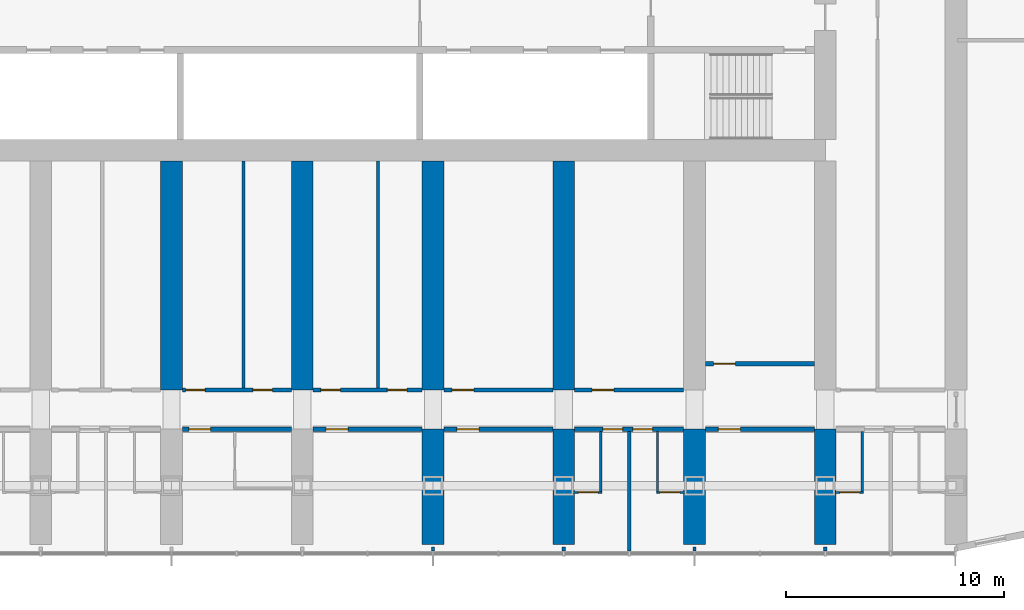
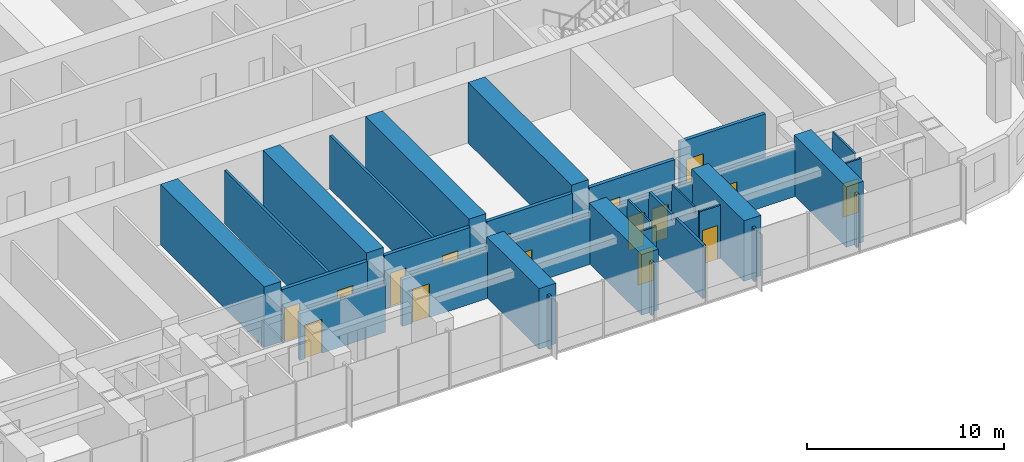
# One storey, part 12 of 23: 31 walls, 16 doors, 16 openings.
"""IFC4 building model written with IfcOpenShell, lengths in metres."""

from ifc_helpers import new_model, si_unit, direction, frame, frame_2d, origin, place, context, subcontext, project, spatial, polyline, rectangle, outline, extrude, material, layer, layer_set, type_object, element, fill, save


model = new_model("IFC4")

# Units and contexts
model_context = context("Model", 3, precision=1e-05, world=origin(), true_north=direction((0.0, 1.0)))
body_context = subcontext(model_context, "Body", "Model", "MODEL_VIEW")
ifc_project = project(units=[si_unit("LENGTHUNIT", "METRE"), si_unit("AREAUNIT", "SQUARE_METRE"), si_unit("VOLUMEUNIT", "CUBIC_METRE"), si_unit("PLANEANGLEUNIT", "RADIAN"), si_unit("MASSUNIT", "GRAM", prefix="KILO")], contexts=[model_context])

# Site, building, storey
site_placement = place(None, origin())
site = spatial("IfcSite", under=ifc_project, at=site_placement, CompositionType="ELEMENT")
building_placement = place(site_placement, origin())
building = spatial("IfcBuilding", under=site, at=building_placement, Name="Orbita Commons", CompositionType="ELEMENT")
storey_placement = place(building_placement, frame((0.0, 0.0, 50.199951171875)))
storey = spatial("IfcBuildingStorey", under=building, at=storey_placement, Name="L12", CompositionType="ELEMENT", Elevation=50.199951171875)

# Wall, opening, door
ifc_material_1 = material(Name="Concrete blockwork", Category="masonry")
ifc_layer_1 = layer(ifc_material_1, 0.199951171875)
ifc_layer_set_1 = layer_set([ifc_layer_1], Name="Concrete blockwork")
wall_type_1 = type_object("IfcWallType", Name="Corridor wall 200 blockwork", PredefinedType="SOLIDWALL", material=ifc_layer_set_1)
wall_1_placement = place(storey_placement, frame((36.5, 13.0, 0.0), z_axis=(0.0, 0.0, 1.0), x_axis=(1.0, 0.0, 0.0)))
wall_1 = element("IfcWall", 1, at=wall_1_placement, inside=storey, type_object=wall_type_1, Name="Corridor wall 200 blockwork L12", PredefinedType="SOLIDWALL", context=body_context, shape_type="SweptSolid", body=[
    extrude(outline(polyline([(0.0, 0.0), (5.0, 0.0), (5.0, 2.900146484375), (0.0, 2.900146484375), (0.0, 0.0)])), frame((0.0, 0.10009765625, 0.0), z_axis=(0.0, -1.0, 0.0), x_axis=(1.0, 0.0, 0.0)), (0.0, 0.0, 1.0), 0.199951171875),
])
opening_1_placement = place(wall_1_placement, frame((0.300048828125, 0.0, 0.0)))
opening_1 = element("IfcOpeningElement", 2, at=opening_1_placement, cuts=wall_1, Name="Opening D06", PredefinedType="OPENING", context=body_context, shape_type="SweptSolid", body=[
    extrude(rectangle(XDim=1.0, YDim=2.10009765625, at=frame_2d((0.5, 1.050048828125))), frame((0.0, 0.10986328125, 0.0), z_axis=(0.0, -1.0, 0.0), x_axis=(1.0, 0.0, 0.0)), (0.0, 0.0, 1.0), 0.219970703125),
])
ifc_material_2 = material(Name="Steel-faced fire door leaf", Category="steel")
door_type_1 = type_object("IfcDoorType", Name="Corridor door 20 min 1000x2100", OperationType="SINGLE_SWING_LEFT", PredefinedType="DOOR", material=ifc_material_2)
door_1_placement = place(opening_1_placement, origin())
door_1 = element("IfcDoor", 3, at=door_1_placement, inside=storey, type_object=door_type_1, Name="Accessible bedroom L12-S08 door", OperationType="SINGLE_SWING_LEFT", OverallHeight=2.10009765625, OverallWidth=1.0, PredefinedType="DOOR", context=body_context, shape_type="SweptSolid", body=[
    extrude(rectangle(XDim=1.0, YDim=2.10009765625, at=frame_2d((0.5, 1.050048828125))), frame((0.0, 0.02490234375, 0.0), z_axis=(0.0, -1.0, 0.0), x_axis=(1.0, 0.0, 0.0)), (0.0, 0.0, 1.0), 0.050048828125),
])
fill(opening_1, door_1)

wall_2_placement = place(storey_placement, frame((42.5, 13.0, 0.0), z_axis=(0.0, 0.0, 1.0), x_axis=(1.0, 0.0, 0.0)))
wall_2 = element("IfcWall", 4, at=wall_2_placement, inside=storey, type_object=wall_type_1, Name="Corridor wall 200 blockwork L12", PredefinedType="SOLIDWALL", context=body_context, shape_type="SweptSolid", body=[
    extrude(outline(polyline([(0.0, 0.0), (5.0, 0.0), (5.0, 2.900146484375), (0.0, 2.900146484375), (0.0, 0.0)])), frame((0.0, 0.10009765625, 0.0), z_axis=(0.0, -1.0, 0.0), x_axis=(1.0, 0.0, 0.0)), (0.0, 0.0, 1.0), 0.199951171875),
])
opening_2_placement = place(wall_2_placement, frame((0.60009765625, 0.0, 0.0)))
opening_2 = element("IfcOpeningElement", 5, at=opening_2_placement, cuts=wall_2, Name="Opening D06", PredefinedType="OPENING", context=body_context, shape_type="SweptSolid", body=[
    extrude(rectangle(XDim=1.0, YDim=2.10009765625, at=frame_2d((0.5, 1.050048828125))), frame((0.0, 0.10986328125, 0.0), z_axis=(0.0, -1.0, 0.0), x_axis=(1.0, 0.0, 0.0)), (0.0, 0.0, 1.0), 0.219970703125),
])
door_2_placement = place(opening_2_placement, origin())
door_2 = element("IfcDoor", 6, at=door_2_placement, inside=storey, type_object=door_type_1, Name="House study room L12-S10 door", OperationType="SINGLE_SWING_LEFT", OverallHeight=2.10009765625, OverallWidth=1.0, PredefinedType="DOOR", context=body_context, shape_type="SweptSolid", body=[
    extrude(rectangle(XDim=1.0, YDim=2.10009765625, at=frame_2d((0.5, 1.050048828125))), frame((0.0, 0.02490234375, 0.0), z_axis=(0.0, -1.0, 0.0), x_axis=(1.0, 0.0, 0.0)), (0.0, 0.0, 1.0), 0.050048828125),
])
fill(opening_2, door_2)

wall_3_placement = place(storey_placement, frame((48.5, 13.0, 0.0), z_axis=(0.0, 0.0, 1.0), x_axis=(1.0, 0.0, 0.0)))
wall_3 = element("IfcWall", 7, at=wall_3_placement, inside=storey, type_object=wall_type_1, Name="Corridor wall 200 blockwork L12", PredefinedType="SOLIDWALL", context=body_context, shape_type="SweptSolid", body=[
    extrude(outline(polyline([(0.0, 0.0), (5.0, 0.0), (5.0, 2.900146484375), (0.0, 2.900146484375), (0.0, 0.0)])), frame((0.0, 0.10009765625, 0.0), z_axis=(0.0, -1.0, 0.0), x_axis=(1.0, 0.0, 0.0)), (0.0, 0.0, 1.0), 0.199951171875),
])
opening_3_placement = place(wall_3_placement, frame((0.60009765625, 0.0, 0.0)))
opening_3 = element("IfcOpeningElement", 8, at=opening_3_placement, cuts=wall_3, Name="Opening D06", PredefinedType="OPENING", context=body_context, shape_type="SweptSolid", body=[
    extrude(rectangle(XDim=1.0, YDim=2.10009765625, at=frame_2d((0.5, 1.050048828125))), frame((0.0, 0.10986328125, 0.0), z_axis=(0.0, -1.0, 0.0), x_axis=(1.0, 0.0, 0.0)), (0.0, 0.0, 1.0), 0.219970703125),
])
door_3_placement = place(opening_3_placement, origin())
door_3 = element("IfcDoor", 9, at=door_3_placement, inside=storey, type_object=door_type_1, Name="House kitchen-diner L12-S12 door", OperationType="SINGLE_SWING_LEFT", OverallHeight=2.10009765625, OverallWidth=1.0, PredefinedType="DOOR", context=body_context, shape_type="SweptSolid", body=[
    extrude(rectangle(XDim=1.0, YDim=2.10009765625, at=frame_2d((0.5, 1.050048828125))), frame((0.0, 0.02490234375, 0.0), z_axis=(0.0, -1.0, 0.0), x_axis=(1.0, 0.0, 0.0)), (0.0, 0.0, 1.0), 0.050048828125),
])
fill(opening_3, door_3)

# Wall, openings, doors
wall_4_placement = place(storey_placement, frame((54.5, 13.0, 0.0), z_axis=(0.0, 0.0, 1.0), x_axis=(1.0, 0.0, 0.0)))
wall_4 = element("IfcWall", 10, at=wall_4_placement, inside=storey, type_object=wall_type_1, Name="Corridor wall 200 blockwork L12", PredefinedType="SOLIDWALL", context=body_context, shape_type="SweptSolid", body=[
    extrude(outline(polyline([(0.0, 0.0), (5.0, 0.0), (5.0, 2.900146484375), (0.0, 2.900146484375), (0.0, 0.0)])), frame((0.0, 0.10009765625, 0.0), z_axis=(0.0, -1.0, 0.0), x_axis=(1.0, 0.0, 0.0)), (0.0, 0.0, 1.0), 0.199951171875),
])
opening_4_placement = place(wall_4_placement, frame((1.300048828125, 0.0, 0.0)))
opening_4 = element("IfcOpeningElement", 11, at=opening_4_placement, cuts=wall_4, Name="Opening D11", PredefinedType="OPENING", context=body_context, shape_type="SweptSolid", body=[
    extrude(rectangle(XDim=0.89990234375, YDim=2.10009765625, at=frame_2d((0.449951171875, 1.050048828125))), frame((0.0, 0.10986328125, 0.0), z_axis=(0.0, -1.0, 0.0), x_axis=(1.0, 0.0, 0.0)), (0.0, 0.0, 1.0), 0.219970703125),
])
opening_5_placement = place(wall_4_placement, frame((2.675048828125, 0.0, 0.0)))
opening_5 = element("IfcOpeningElement", 12, at=opening_5_placement, cuts=wall_4, Name="Opening D11", PredefinedType="OPENING", context=body_context, shape_type="SweptSolid", body=[
    extrude(rectangle(XDim=0.89990234375, YDim=2.10009765625, at=frame_2d((0.449951171875, 1.050048828125))), frame((0.0, 0.10986328125, 0.0), z_axis=(0.0, -1.0, 0.0), x_axis=(1.0, 0.0, 0.0)), (0.0, 0.0, 1.0), 0.219970703125),
])
ifc_material_3 = material(Name="Steel-faced fire door leaf", Category="steel")
door_type_2 = type_object("IfcDoorType", Name="Corridor door 20 min 900x2100", OperationType="SINGLE_SWING_LEFT", PredefinedType="DOOR", material=ifc_material_3)
door_4_placement = place(opening_4_placement, origin())
door_4 = element("IfcDoor", 13, at=door_4_placement, inside=storey, type_object=door_type_2, Name="House bedroom L12-S14 door", OperationType="SINGLE_SWING_LEFT", OverallHeight=2.10009765625, OverallWidth=0.89990234375, PredefinedType="DOOR", context=body_context, shape_type="SweptSolid", body=[
    extrude(rectangle(XDim=0.89990234375, YDim=2.10009765625, at=frame_2d((0.449951171875, 1.050048828125))), frame((0.0, 0.02490234375, 0.0), z_axis=(0.0, -1.0, 0.0), x_axis=(1.0, 0.0, 0.0)), (0.0, 0.0, 1.0), 0.050048828125),
])
fill(opening_4, door_4)
door_5_placement = place(opening_5_placement, origin())
door_5 = element("IfcDoor", 14, at=door_5_placement, inside=storey, type_object=door_type_2, Name="House bedroom L12-S15 door", OperationType="SINGLE_SWING_LEFT", OverallHeight=2.10009765625, OverallWidth=0.89990234375, PredefinedType="DOOR", context=body_context, shape_type="SweptSolid", body=[
    extrude(rectangle(XDim=0.89990234375, YDim=2.10009765625, at=frame_2d((0.449951171875, 1.050048828125))), frame((0.0, 0.02490234375, 0.0), z_axis=(0.0, -1.0, 0.0), x_axis=(1.0, 0.0, 0.0)), (0.0, 0.0, 1.0), 0.050048828125),
])
fill(opening_5, door_5)

# Wall, opening, door
wall_5_placement = place(storey_placement, frame((60.5, 13.0, 0.0), z_axis=(0.0, 0.0, 1.0), x_axis=(1.0, 0.0, 0.0)))
wall_5 = element("IfcWall", 15, at=wall_5_placement, inside=storey, type_object=wall_type_1, Name="Corridor wall 200 blockwork L12", PredefinedType="SOLIDWALL", context=body_context, shape_type="SweptSolid", body=[
    extrude(outline(polyline([(0.0, 0.0), (5.0, 0.0), (5.0, 2.900146484375), (0.0, 2.900146484375), (0.0, 0.0)])), frame((0.0, 0.10009765625, 0.0), z_axis=(0.0, -1.0, 0.0), x_axis=(1.0, 0.0, 0.0)), (0.0, 0.0, 1.0), 0.199951171875),
])
opening_6_placement = place(wall_5_placement, frame((0.60009765625, 0.0, 0.0)))
opening_6 = element("IfcOpeningElement", 16, at=opening_6_placement, cuts=wall_5, Name="Opening D06", PredefinedType="OPENING", context=body_context, shape_type="SweptSolid", body=[
    extrude(rectangle(XDim=1.0, YDim=2.10009765625, at=frame_2d((0.5, 1.050048828125))), frame((0.0, 0.10986328125, 0.0), z_axis=(0.0, -1.0, 0.0), x_axis=(1.0, 0.0, 0.0)), (0.0, 0.0, 1.0), 0.219970703125),
])
door_6_placement = place(opening_6_placement, origin())
door_6 = element("IfcDoor", 17, at=door_6_placement, inside=storey, type_object=door_type_1, Name="House common room L12-S16 door", OperationType="SINGLE_SWING_LEFT", OverallHeight=2.10009765625, OverallWidth=1.0, PredefinedType="DOOR", context=body_context, shape_type="SweptSolid", body=[
    extrude(rectangle(XDim=1.0, YDim=2.10009765625, at=frame_2d((0.5, 1.050048828125))), frame((0.0, 0.02490234375, 0.0), z_axis=(0.0, -1.0, 0.0), x_axis=(1.0, 0.0, 0.0)), (0.0, 0.0, 1.0), 0.050048828125),
])
fill(opening_6, door_6)

# Wall, openings, doors
ifc_material_4 = material(Name="Hollow concrete block 200", Category="concrete")
ifc_layer_2 = layer(ifc_material_4, 0.199951171875)
ifc_layer_set_2 = layer_set([ifc_layer_2], Name="Hollow concrete block 200")
wall_type_2 = type_object("IfcWallType", Name="Corridor wall 200 hollow concrete block", PredefinedType="SOLIDWALL", material=ifc_layer_set_2)
wall_6_placement = place(storey_placement, frame((36.5, 14.800048828125, 0.0), z_axis=(0.0, 0.0, 1.0), x_axis=(1.0, 0.0, 0.0)))
wall_6 = element("IfcWall", 18, at=wall_6_placement, inside=storey, type_object=wall_type_2, Name="Corridor wall 200 hollow concrete block L12", PredefinedType="SOLIDWALL", context=body_context, shape_type="SweptSolid", body=[
    extrude(rectangle(XDim=5.0, YDim=0.199951171875, at=frame_2d((2.5, 0.0))), origin(), (0.0, 0.0, 1.0), 3.300048828125),
])
opening_7_placement = place(wall_6_placement, frame((0.14990234375, 0.0, 0.0)))
opening_7 = element("IfcOpeningElement", 19, at=opening_7_placement, cuts=wall_6, Name="Opening D11", PredefinedType="OPENING", context=body_context, shape_type="SweptSolid", body=[
    extrude(rectangle(XDim=0.89990234375, YDim=2.10009765625, at=frame_2d((0.449951171875, 1.050048828125))), frame((0.0, 0.10986328125, 0.0), z_axis=(0.0, -1.0, 0.0), x_axis=(1.0, 0.0, 0.0)), (0.0, 0.0, 1.0), 0.219970703125),
])
opening_8_placement = place(wall_6_placement, frame((3.235107421875, 0.0, 0.0)))
opening_8 = element("IfcOpeningElement", 20, at=opening_8_placement, cuts=wall_6, Name="Opening D11", PredefinedType="OPENING", context=body_context, shape_type="SweptSolid", body=[
    extrude(rectangle(XDim=0.89990234375, YDim=2.10009765625, at=frame_2d((0.449951171875, 1.050048828125))), frame((0.0, 0.10986328125, 0.0), z_axis=(0.0, -1.0, 0.0), x_axis=(1.0, 0.0, 0.0)), (0.0, 0.0, 1.0), 0.219970703125),
])
door_7_placement = place(opening_7_placement, origin())
door_7 = element("IfcDoor", 21, at=door_7_placement, inside=storey, type_object=door_type_2, Name="Group meeting room L12-BDS36 door", OperationType="SINGLE_SWING_LEFT", OverallHeight=2.10009765625, OverallWidth=0.89990234375, PredefinedType="DOOR", context=body_context, shape_type="SweptSolid", body=[
    extrude(rectangle(XDim=0.89990234375, YDim=2.10009765625, at=frame_2d((0.449951171875, 1.050048828125))), frame((0.0, 0.02490234375, 0.0), z_axis=(0.0, -1.0, 0.0), x_axis=(1.0, 0.0, 0.0)), (0.0, 0.0, 1.0), 0.050048828125),
])
fill(opening_7, door_7)
door_8_placement = place(opening_8_placement, origin())
door_8 = element("IfcDoor", 22, at=door_8_placement, inside=storey, type_object=door_type_2, Name="Water heater cupboard L12-BDS36n door", OperationType="SINGLE_SWING_LEFT", OverallHeight=2.10009765625, OverallWidth=0.89990234375, PredefinedType="DOOR", context=body_context, shape_type="SweptSolid", body=[
    extrude(rectangle(XDim=0.89990234375, YDim=2.10009765625, at=frame_2d((0.449951171875, 1.050048828125))), frame((0.0, 0.02490234375, 0.0), z_axis=(0.0, -1.0, 0.0), x_axis=(1.0, 0.0, 0.0)), (0.0, 0.0, 1.0), 0.050048828125),
])
fill(opening_8, door_8)

wall_7_placement = place(storey_placement, frame((42.5, 14.800048828125, 0.0), z_axis=(0.0, 0.0, 1.0), x_axis=(1.0, 0.0, 0.0)))
wall_7 = element("IfcWall", 23, at=wall_7_placement, inside=storey, type_object=wall_type_2, Name="Corridor wall 200 hollow concrete block L12", PredefinedType="SOLIDWALL", context=body_context, shape_type="SweptSolid", body=[
    extrude(rectangle(XDim=5.0, YDim=0.199951171875, at=frame_2d((2.5, 0.0))), origin(), (0.0, 0.0, 1.0), 3.300048828125),
])
opening_9_placement = place(wall_7_placement, frame((0.35009765625, 0.0, 0.0)))
opening_9 = element("IfcOpeningElement", 24, at=opening_9_placement, cuts=wall_7, Name="Opening D11", PredefinedType="OPENING", context=body_context, shape_type="SweptSolid", body=[
    extrude(rectangle(XDim=0.89990234375, YDim=2.10009765625, at=frame_2d((0.449951171875, 1.050048828125))), frame((0.0, 0.10986328125, 0.0), z_axis=(0.0, -1.0, 0.0), x_axis=(1.0, 0.0, 0.0)), (0.0, 0.0, 1.0), 0.219970703125),
])
opening_10_placement = place(wall_7_placement, frame((3.405029296875, 0.0, 0.0)))
opening_10 = element("IfcOpeningElement", 25, at=opening_10_placement, cuts=wall_7, Name="Opening D11", PredefinedType="OPENING", context=body_context, shape_type="SweptSolid", body=[
    extrude(rectangle(XDim=0.89990234375, YDim=2.10009765625, at=frame_2d((0.449951171875, 1.050048828125))), frame((0.0, 0.10986328125, 0.0), z_axis=(0.0, -1.0, 0.0), x_axis=(1.0, 0.0, 0.0)), (0.0, 0.0, 1.0), 0.219970703125),
])
door_9_placement = place(opening_9_placement, origin())
door_9 = element("IfcDoor", 26, at=door_9_placement, inside=storey, type_object=door_type_2, Name="Equipment store L12-BDS42n door", OperationType="SINGLE_SWING_LEFT", OverallHeight=2.10009765625, OverallWidth=0.89990234375, PredefinedType="DOOR", context=body_context, shape_type="SweptSolid", body=[
    extrude(rectangle(XDim=0.89990234375, YDim=2.10009765625, at=frame_2d((0.449951171875, 1.050048828125))), frame((0.0, 0.02490234375, 0.0), z_axis=(0.0, -1.0, 0.0), x_axis=(1.0, 0.0, 0.0)), (0.0, 0.0, 1.0), 0.050048828125),
])
fill(opening_9, door_9)
door_10_placement = place(opening_10_placement, origin())
door_10 = element("IfcDoor", 27, at=door_10_placement, inside=storey, type_object=door_type_2, Name="Linen store L12-BDS42 door", OperationType="SINGLE_SWING_LEFT", OverallHeight=2.10009765625, OverallWidth=0.89990234375, PredefinedType="DOOR", context=body_context, shape_type="SweptSolid", body=[
    extrude(rectangle(XDim=0.89990234375, YDim=2.10009765625, at=frame_2d((0.449951171875, 1.050048828125))), frame((0.0, 0.02490234375, 0.0), z_axis=(0.0, -1.0, 0.0), x_axis=(1.0, 0.0, 0.0)), (0.0, 0.0, 1.0), 0.050048828125),
])
fill(opening_10, door_10)

# Wall, opening, door
wall_8_placement = place(storey_placement, frame((48.5, 14.800048828125, 0.0), z_axis=(0.0, 0.0, 1.0), x_axis=(1.0, 0.0, 0.0)))
wall_8 = element("IfcWall", 28, at=wall_8_placement, inside=storey, type_object=wall_type_2, Name="Corridor wall 200 hollow concrete block L12", PredefinedType="SOLIDWALL", context=body_context, shape_type="SweptSolid", body=[
    extrude(rectangle(XDim=5.0, YDim=0.199951171875, at=frame_2d((2.5, 0.0))), origin(), (0.0, 0.0, 1.0), 3.300048828125),
])
opening_11_placement = place(wall_8_placement, frame((0.375, 0.0, 0.0)))
opening_11 = element("IfcOpeningElement", 29, at=opening_11_placement, cuts=wall_8, Name="Opening D06", PredefinedType="OPENING", context=body_context, shape_type="SweptSolid", body=[
    extrude(rectangle(XDim=1.0, YDim=2.10009765625, at=frame_2d((0.5, 1.050048828125))), frame((0.0, 0.10986328125, 0.0), z_axis=(0.0, -1.0, 0.0), x_axis=(1.0, 0.0, 0.0)), (0.0, 0.0, 1.0), 0.219970703125),
])
door_11_placement = place(opening_11_placement, origin())
door_11 = element("IfcDoor", 30, at=door_11_placement, inside=storey, type_object=door_type_1, Name="Drying room L12-BDS48 door", OperationType="SINGLE_SWING_LEFT", OverallHeight=2.10009765625, OverallWidth=1.0, PredefinedType="DOOR", context=body_context, shape_type="SweptSolid", body=[
    extrude(rectangle(XDim=1.0, YDim=2.10009765625, at=frame_2d((0.5, 1.050048828125))), frame((0.0, 0.02490234375, 0.0), z_axis=(0.0, -1.0, 0.0), x_axis=(1.0, 0.0, 0.0)), (0.0, 0.0, 1.0), 0.050048828125),
])
fill(opening_11, door_11)

wall_9_placement = place(storey_placement, frame((54.5, 14.800048828125, 0.0), z_axis=(0.0, 0.0, 1.0), x_axis=(1.0, 0.0, 0.0)))
wall_9 = element("IfcWall", 31, at=wall_9_placement, inside=storey, type_object=wall_type_2, Name="Corridor wall 200 hollow concrete block L12", PredefinedType="SOLIDWALL", context=body_context, shape_type="SweptSolid", body=[
    extrude(rectangle(XDim=5.0, YDim=0.199951171875, at=frame_2d((2.5, 0.0))), origin(), (0.0, 0.0, 1.0), 3.300048828125),
])
opening_12_placement = place(wall_9_placement, frame((0.800048828125, 0.0, 0.0)))
opening_12 = element("IfcOpeningElement", 32, at=opening_12_placement, cuts=wall_9, Name="Opening D06", PredefinedType="OPENING", context=body_context, shape_type="SweptSolid", body=[
    extrude(rectangle(XDim=1.0, YDim=2.10009765625, at=frame_2d((0.5, 1.050048828125))), frame((0.0, 0.10986328125, 0.0), z_axis=(0.0, -1.0, 0.0), x_axis=(1.0, 0.0, 0.0)), (0.0, 0.0, 1.0), 0.219970703125),
])
door_12_placement = place(opening_12_placement, origin())
door_12 = element("IfcDoor", 33, at=door_12_placement, inside=storey, type_object=door_type_1, Name="Ventilation plant room north L12-BDS54 door", OperationType="SINGLE_SWING_LEFT", OverallHeight=2.10009765625, OverallWidth=1.0, PredefinedType="DOOR", context=body_context, shape_type="SweptSolid", body=[
    extrude(rectangle(XDim=1.0, YDim=2.10009765625, at=frame_2d((0.5, 1.050048828125))), frame((0.0, 0.02490234375, 0.0), z_axis=(0.0, -1.0, 0.0), x_axis=(1.0, 0.0, 0.0)), (0.0, 0.0, 1.0), 0.050048828125),
])
fill(opening_12, door_12)

wall_10_placement = place(storey_placement, frame((60.5, 16.0, 0.0), z_axis=(0.0, 0.0, 1.0), x_axis=(1.0, 0.0, 0.0)))
wall_10 = element("IfcWall", 34, at=wall_10_placement, inside=storey, type_object=wall_type_2, Name="Corridor wall 200 hollow concrete block L12", PredefinedType="SOLIDWALL", context=body_context, shape_type="SweptSolid", body=[
    extrude(rectangle(XDim=5.0, YDim=0.199951171875, at=frame_2d((2.5, 0.0))), origin(), (0.0, 0.0, 1.0), 3.300048828125),
])
opening_13_placement = place(wall_10_placement, frame((0.375, 0.0, 0.0)))
opening_13 = element("IfcOpeningElement", 35, at=opening_13_placement, cuts=wall_10, Name="Opening D06", PredefinedType="OPENING", context=body_context, shape_type="SweptSolid", body=[
    extrude(rectangle(XDim=1.0, YDim=2.10009765625, at=frame_2d((0.5, 1.050048828125))), frame((0.0, 0.10986328125, 0.0), z_axis=(0.0, -1.0, 0.0), x_axis=(1.0, 0.0, 0.0)), (0.0, 0.0, 1.0), 0.219970703125),
])
door_13_placement = place(opening_13_placement, origin())
door_13 = element("IfcDoor", 36, at=door_13_placement, inside=storey, type_object=door_type_1, Name="Electrical and data room L12-BDS60 door", OperationType="SINGLE_SWING_LEFT", OverallHeight=2.10009765625, OverallWidth=1.0, PredefinedType="DOOR", context=body_context, shape_type="SweptSolid", body=[
    extrude(rectangle(XDim=1.0, YDim=2.10009765625, at=frame_2d((0.5, 1.050048828125))), frame((0.0, 0.02490234375, 0.0), z_axis=(0.0, -1.0, 0.0), x_axis=(1.0, 0.0, 0.0)), (0.0, 0.0, 1.0), 0.050048828125),
])
fill(opening_13, door_13)

# Walls
ifc_material_5 = material(Name="Concrete C50/60", Category="concrete")
ifc_layer_3 = layer(ifc_material_5, 1.0)
ifc_layer_set_3 = layer_set([ifc_layer_3], Name="Concrete C50/60")
wall_type_3 = type_object("IfcWallType", Name="Cross wall 1000 C50/60", PredefinedType="SHEAR", material=ifc_layer_set_3)
for number, where, z_axis, x_axis, name in (
    (37, (36.0, 14.800048828125, 0.0), (0.0, 0.0, 1.0), (0.0, 1.0, 0.0), "Cross wall 7 south inner L12"),
    (38, (42.0, 14.800048828125, 0.0), (0.0, 0.0, 1.0), (0.0, 1.0, 0.0), "Cross wall 8 south inner L12"),
):
    element("IfcWall", number, at=place(storey_placement, frame(where, z_axis=z_axis, x_axis=x_axis)), inside=storey, type_object=wall_type_3, Name=name, PredefinedType="SHEAR", context=body_context, shape_type="SweptSolid", body=[
        extrude(rectangle(XDim=10.5, YDim=1.0, at=frame_2d((5.25, 0.0))), origin(), (0.0, 0.0, 1.0), 3.75),
    ])
wall_11_placement = place(storey_placement, frame((48.0, 7.699951171875, 0.0), z_axis=(0.0, 0.0, 1.0), x_axis=(0.0, 1.0, 0.0)))
element("IfcWall", 39, at=wall_11_placement, inside=storey, type_object=wall_type_3, Name="Cross wall 9 south outer L12", PredefinedType="SHEAR", context=body_context, shape_type="SweptSolid", body=[
    extrude(rectangle(XDim=5.300048828125, YDim=1.0, at=frame_2d((2.64990234375, 0.0))), origin(), (0.0, 0.0, 1.0), 3.75),
])
wall_12_placement = place(storey_placement, frame((48.0, 14.800048828125, 0.0), z_axis=(0.0, 0.0, 1.0), x_axis=(0.0, 1.0, 0.0)))
element("IfcWall", 40, at=wall_12_placement, inside=storey, type_object=wall_type_3, Name="Cross wall 9 south inner L12", PredefinedType="SHEAR", context=body_context, shape_type="SweptSolid", body=[
    extrude(rectangle(XDim=10.5, YDim=1.0, at=frame_2d((5.25, 0.0))), origin(), (0.0, 0.0, 1.0), 3.75),
])
wall_13_placement = place(storey_placement, frame((54.0, 7.699951171875, 0.0), z_axis=(0.0, 0.0, 1.0), x_axis=(0.0, 1.0, 0.0)))
element("IfcWall", 41, at=wall_13_placement, inside=storey, type_object=wall_type_3, Name="Cross wall 10 south outer L12", PredefinedType="SHEAR", context=body_context, shape_type="SweptSolid", body=[
    extrude(rectangle(XDim=5.300048828125, YDim=1.0, at=frame_2d((2.64990234375, 0.0))), origin(), (0.0, 0.0, 1.0), 3.75),
])
wall_14_placement = place(storey_placement, frame((54.0, 14.800048828125, 0.0), z_axis=(0.0, 0.0, 1.0), x_axis=(0.0, 1.0, 0.0)))
element("IfcWall", 42, at=wall_14_placement, inside=storey, type_object=wall_type_3, Name="Cross wall 10 south inner L12", PredefinedType="SHEAR", context=body_context, shape_type="SweptSolid", body=[
    extrude(rectangle(XDim=10.5, YDim=1.0, at=frame_2d((5.25, 0.0))), origin(), (0.0, 0.0, 1.0), 3.75),
])
for number, where, z_axis, x_axis, name in (
    (43, (60.0, 7.699951171875, 0.0), (0.0, 0.0, 1.0), (0.0, 1.0, 0.0), "Cross wall 11 south outer L12"),
    (44, (66.0, 7.699951171875, 0.0), (0.0, 0.0, 1.0), (0.0, 1.0, 0.0), "Cross wall 12 south outer L12"),
):
    element("IfcWall", number, at=place(storey_placement, frame(where, z_axis=z_axis, x_axis=x_axis)), inside=storey, type_object=wall_type_3, Name=name, PredefinedType="SHEAR", context=body_context, shape_type="SweptSolid", body=[
        extrude(rectangle(XDim=5.300048828125, YDim=1.0, at=frame_2d((2.64990234375, 0.0))), origin(), (0.0, 0.0, 1.0), 3.75),
    ])

# Wall, opening, door
ifc_material_6 = material(Name="Moisture-resistant plasterboard on steel studs", Category="steel")
ifc_layer_4 = layer(ifc_material_6, 0.10009765625)
ifc_layer_set_4 = layer_set([ifc_layer_4], Name="Moisture-resistant plasterboard on steel studs")
wall_type_4 = type_object("IfcWallType", Name="En-suite partition 100", PredefinedType="PARTITIONING", material=ifc_layer_set_4)
wall_15_placement = place(storey_placement, frame((55.75, 10.10009765625, 0.0), z_axis=(0.0, 0.0, 1.0), x_axis=(-1.0, 0.0, 0.0)))
wall_15 = element("IfcWall", 45, at=wall_15_placement, inside=storey, type_object=wall_type_4, Name="En-suite partition 100 L12", PredefinedType="PARTITIONING", context=body_context, shape_type="SweptSolid", body=[
    extrude(rectangle(XDim=1.300048828125, YDim=0.10009765625, at=frame_2d((0.64990234375, 0.0))), origin(), (0.0, 0.0, 1.0), 3.300048828125),
])
opening_14_placement = place(wall_15_placement, frame((0.175048828125, 0.0, 0.0)))
opening_14 = element("IfcOpeningElement", 46, at=opening_14_placement, cuts=wall_15, Name="Opening D09", PredefinedType="OPENING", context=body_context, shape_type="SweptSolid", body=[
    extrude(rectangle(XDim=0.89990234375, YDim=2.10009765625, at=frame_2d((0.449951171875, 1.050048828125))), frame((0.0, 0.06005859375, 0.0), z_axis=(0.0, -1.0, 0.0), x_axis=(1.0, 0.0, 0.0)), (0.0, 0.0, 1.0), 0.1201171875),
])
ifc_material_7 = material(Name="Laminated timber door leaf", Category="wood")
door_type_3 = type_object("IfcDoorType", Name="En-suite door 900x2100", OperationType="SINGLE_SWING_RIGHT", PredefinedType="DOOR", material=ifc_material_7)
door_14_placement = place(opening_14_placement, origin())
door_14 = element("IfcDoor", 47, at=door_14_placement, inside=storey, type_object=door_type_3, Name="En-suite L12-S14 door", OperationType="SINGLE_SWING_RIGHT", OverallHeight=2.10009765625, OverallWidth=0.89990234375, PredefinedType="DOOR", context=body_context, shape_type="SweptSolid", body=[
    extrude(rectangle(XDim=0.89990234375, YDim=2.10009765625, at=frame_2d((0.449951171875, 1.050048828125))), frame((0.0, 0.02490234375, 0.0), z_axis=(0.0, -1.0, 0.0), x_axis=(1.0, 0.0, 0.0)), (0.0, 0.0, 1.0), 0.050048828125),
])
fill(opening_14, door_14)

# Wall
wall_16_placement = place(storey_placement, frame((55.699951171875, 10.14990234375, 0.0), z_axis=(0.0, 0.0, 1.0), x_axis=(0.0, 1.0, 0.0)))
element("IfcWall", 48, at=wall_16_placement, inside=storey, type_object=wall_type_4, Name="En-suite partition 100 L12", PredefinedType="PARTITIONING", context=body_context, shape_type="SweptSolid", body=[
    extrude(outline(polyline([(0.0, 0.0), (2.75, 0.0), (2.75, 2.900146484375), (2.701904296875, 2.900146484375), (2.699951171875, 3.300048828125), (0.451904296875, 3.300048828125), (0.449951171875, 2.900146484375), (0.052001953125, 2.900146484375), (0.050048828125, 3.300048828125), (0.0, 3.300048828125), (0.0, 0.0)])), frame((0.0, 0.050048828125, 0.0), z_axis=(0.0, -1.0, 0.0), x_axis=(1.0, 0.0, 0.0)), (0.0, 0.0, 1.0), 0.10009765625),
])

# Wall, opening, door
wall_17_placement = place(storey_placement, frame((59.550048828125, 10.10009765625, 0.0), z_axis=(0.0, 0.0, 1.0), x_axis=(-1.0, 0.0, 0.0)))
wall_17 = element("IfcWall", 49, at=wall_17_placement, inside=storey, type_object=wall_type_4, Name="En-suite partition 100 L12", PredefinedType="PARTITIONING", context=body_context, shape_type="SweptSolid", body=[
    extrude(rectangle(XDim=1.300048828125, YDim=0.10009765625, at=frame_2d((0.64990234375, 0.0))), origin(), (0.0, 0.0, 1.0), 3.300048828125),
])
opening_15_placement = place(wall_17_placement, frame((0.22509765625, 0.0, 0.0)))
opening_15 = element("IfcOpeningElement", 50, at=opening_15_placement, cuts=wall_17, Name="Opening D09", PredefinedType="OPENING", context=body_context, shape_type="SweptSolid", body=[
    extrude(rectangle(XDim=0.89990234375, YDim=2.10009765625, at=frame_2d((0.449951171875, 1.050048828125))), frame((0.0, 0.06005859375, 0.0), z_axis=(0.0, -1.0, 0.0), x_axis=(1.0, 0.0, 0.0)), (0.0, 0.0, 1.0), 0.1201171875),
])
door_15_placement = place(opening_15_placement, origin())
door_15 = element("IfcDoor", 51, at=door_15_placement, inside=storey, type_object=door_type_3, Name="En-suite L12-S15 door", OperationType="SINGLE_SWING_RIGHT", OverallHeight=2.10009765625, OverallWidth=0.89990234375, PredefinedType="DOOR", context=body_context, shape_type="SweptSolid", body=[
    extrude(rectangle(XDim=0.89990234375, YDim=2.10009765625, at=frame_2d((0.449951171875, 1.050048828125))), frame((0.0, 0.02490234375, 0.0), z_axis=(0.0, -1.0, 0.0), x_axis=(1.0, 0.0, 0.0)), (0.0, 0.0, 1.0), 0.050048828125),
])
fill(opening_15, door_15)

# Wall
wall_18_placement = place(storey_placement, frame((58.300048828125, 10.14990234375, 0.0), z_axis=(0.0, 0.0, 1.0), x_axis=(0.0, 1.0, 0.0)))
element("IfcWall", 52, at=wall_18_placement, inside=storey, type_object=wall_type_4, Name="En-suite partition 100 L12", PredefinedType="PARTITIONING", context=body_context, shape_type="SweptSolid", body=[
    extrude(outline(polyline([(0.0, 0.0), (2.75, 0.0), (2.75, 2.900146484375), (2.701904296875, 2.900146484375), (2.699951171875, 3.300048828125), (0.451904296875, 3.300048828125), (0.449951171875, 2.900146484375), (0.052001953125, 2.900146484375), (0.050048828125, 3.300048828125), (0.0, 3.300048828125), (0.0, 0.0)])), frame((0.0, 0.050048828125, 0.0), z_axis=(0.0, -1.0, 0.0), x_axis=(1.0, 0.0, 0.0)), (0.0, 0.0, 1.0), 0.10009765625),
])

# Wall, opening, door
wall_19_placement = place(storey_placement, frame((67.75, 10.10009765625, 0.0), z_axis=(0.0, 0.0, 1.0), x_axis=(-1.0, 0.0, 0.0)))
wall_19 = element("IfcWall", 53, at=wall_19_placement, inside=storey, type_object=wall_type_4, Name="En-suite partition 100 L12", PredefinedType="PARTITIONING", context=body_context, shape_type="SweptSolid", body=[
    extrude(rectangle(XDim=1.300048828125, YDim=0.10009765625, at=frame_2d((0.64990234375, 0.0))), origin(), (0.0, 0.0, 1.0), 3.300048828125),
])
opening_16_placement = place(wall_19_placement, frame((0.175048828125, 0.0, 0.0)))
opening_16 = element("IfcOpeningElement", 54, at=opening_16_placement, cuts=wall_19, Name="Opening D09", PredefinedType="OPENING", context=body_context, shape_type="SweptSolid", body=[
    extrude(rectangle(XDim=0.89990234375, YDim=2.10009765625, at=frame_2d((0.449951171875, 1.050048828125))), frame((0.0, 0.06005859375, 0.0), z_axis=(0.0, -1.0, 0.0), x_axis=(1.0, 0.0, 0.0)), (0.0, 0.0, 1.0), 0.1201171875),
])
door_16_placement = place(opening_16_placement, origin())
door_16 = element("IfcDoor", 55, at=door_16_placement, inside=storey, type_object=door_type_3, Name="En-suite L12-S18 door", OperationType="SINGLE_SWING_RIGHT", OverallHeight=2.10009765625, OverallWidth=0.89990234375, PredefinedType="DOOR", context=body_context, shape_type="SweptSolid", body=[
    extrude(rectangle(XDim=0.89990234375, YDim=2.10009765625, at=frame_2d((0.449951171875, 1.050048828125))), frame((0.0, 0.02490234375, 0.0), z_axis=(0.0, -1.0, 0.0), x_axis=(1.0, 0.0, 0.0)), (0.0, 0.0, 1.0), 0.050048828125),
])
fill(opening_16, door_16)

# Walls
wall_20_placement = place(storey_placement, frame((67.699951171875, 10.14990234375, 0.0), z_axis=(0.0, 0.0, 1.0), x_axis=(0.0, 1.0, 0.0)))
element("IfcWall", 56, at=wall_20_placement, inside=storey, type_object=wall_type_4, Name="En-suite partition 100 L12", PredefinedType="PARTITIONING", context=body_context, shape_type="SweptSolid", body=[
    extrude(outline(polyline([(0.0, 0.0), (2.75, 0.0), (2.75, 2.900146484375), (2.701904296875, 2.900146484375), (2.699951171875, 3.300048828125), (0.451904296875, 3.300048828125), (0.449951171875, 2.900146484375), (0.052001953125, 2.900146484375), (0.050048828125, 3.300048828125), (0.0, 3.300048828125), (0.0, 0.0)])), frame((0.0, 0.050048828125, 0.0), z_axis=(0.0, -1.0, 0.0), x_axis=(1.0, 0.0, 0.0)), (0.0, 0.0, 1.0), 0.10009765625),
])
ifc_material_8 = material(Name="Gypsum plasterboard on steel studs", Category="steel")
ifc_layer_5 = layer(ifc_material_8, 0.14990234375)
ifc_layer_set_5 = layer_set([ifc_layer_5], Name="Gypsum plasterboard on steel studs")
wall_type_5 = type_object("IfcWallType", Name="Partition 150 plasterboard", PredefinedType="PARTITIONING", material=ifc_layer_set_5)
for number, where, z_axis, x_axis, name in (
    (57, (39.31005859375, 14.89990234375, 0.0), (0.0, 0.0, 1.0), (0.0, 1.0, 0.0), "Partition 150 plasterboard L12"),
    (58, (45.47998046875, 14.89990234375, 0.0), (0.0, 0.0, 1.0), (0.0, 1.0, 0.0), "Partition 150 plasterboard L12"),
):
    element("IfcWall", number, at=place(storey_placement, frame(where, z_axis=z_axis, x_axis=x_axis)), inside=storey, type_object=wall_type_5, Name=name, PredefinedType="PARTITIONING", context=body_context, shape_type="SweptSolid", body=[
        extrude(rectangle(XDim=10.400146484375, YDim=0.14990234375, at=frame_2d((5.2001953125, 0.0))), origin(), (0.0, 0.0, 1.0), 3.300048828125),
    ])
for number, where, z_axis, x_axis, name in (
    (59, (48.0, 7.60009765625, 0.0), (0.0, 0.0, 1.0), (0.0, -1.0, 0.0), "Partition 150 plasterboard L12"),
    (60, (54.0, 7.60009765625, 0.0), (0.0, 0.0, 1.0), (0.0, -1.0, 0.0), "Partition 150 plasterboard L12"),
    (61, (60.0, 7.60009765625, 0.0), (0.0, 0.0, 1.0), (0.0, -1.0, 0.0), "Partition 150 plasterboard L12"),
    (62, (66.0, 7.60009765625, 0.0), (0.0, 0.0, 1.0), (0.0, -1.0, 0.0), "Partition 150 plasterboard L12"),
):
    element("IfcWall", number, at=place(storey_placement, frame(where, z_axis=z_axis, x_axis=x_axis)), inside=storey, type_object=wall_type_5, Name=name, PredefinedType="PARTITIONING", context=body_context, shape_type="SweptSolid", body=[
        extrude(rectangle(XDim=0.190185546875, YDim=0.14990234375, at=frame_2d((0.09521484375, 0.0))), origin(), (0.0, 0.0, 1.0), 3.300048828125),
    ])
ifc_material_9 = material(Name="Gypsum plasterboard on steel studs", Category="steel")
ifc_layer_6 = layer(ifc_material_9, 0.14990234375)
ifc_layer_set_6 = layer_set([ifc_layer_6], Name="Gypsum plasterboard on steel studs")
wall_type_6 = type_object("IfcWallType", Name="Party wall 150 plasterboard", PredefinedType="PARTITIONING", material=ifc_layer_set_6)
wall_21_placement = place(storey_placement, frame((57.0, 7.409912109375, 0.0), z_axis=(0.0, 0.0, 1.0), x_axis=(0.0, 1.0, 0.0)))
element("IfcWall", 63, at=wall_21_placement, inside=storey, type_object=wall_type_6, Name="Party wall 150 plasterboard L12", PredefinedType="PARTITIONING", context=body_context, shape_type="SweptSolid", body=[
    extrude(outline(polyline([(0.0, 0.0), (5.489990234375, 0.0), (5.489990234375, 2.900146484375), (5.44189453125, 2.900146484375), (5.43994140625, 3.300048828125), (3.19189453125, 3.300048828125), (3.18994140625, 2.900146484375), (2.7919921875, 2.900146484375), (2.7900390625, 3.300048828125), (0.0, 3.300048828125), (0.0, 0.0)])), frame((0.0, 0.074951171875, 0.0), z_axis=(0.0, -1.0, 0.0), x_axis=(1.0, 0.0, 0.0)), (0.0, 0.0, 1.0), 0.14990234375),
])

save(model, "model.ifc")
